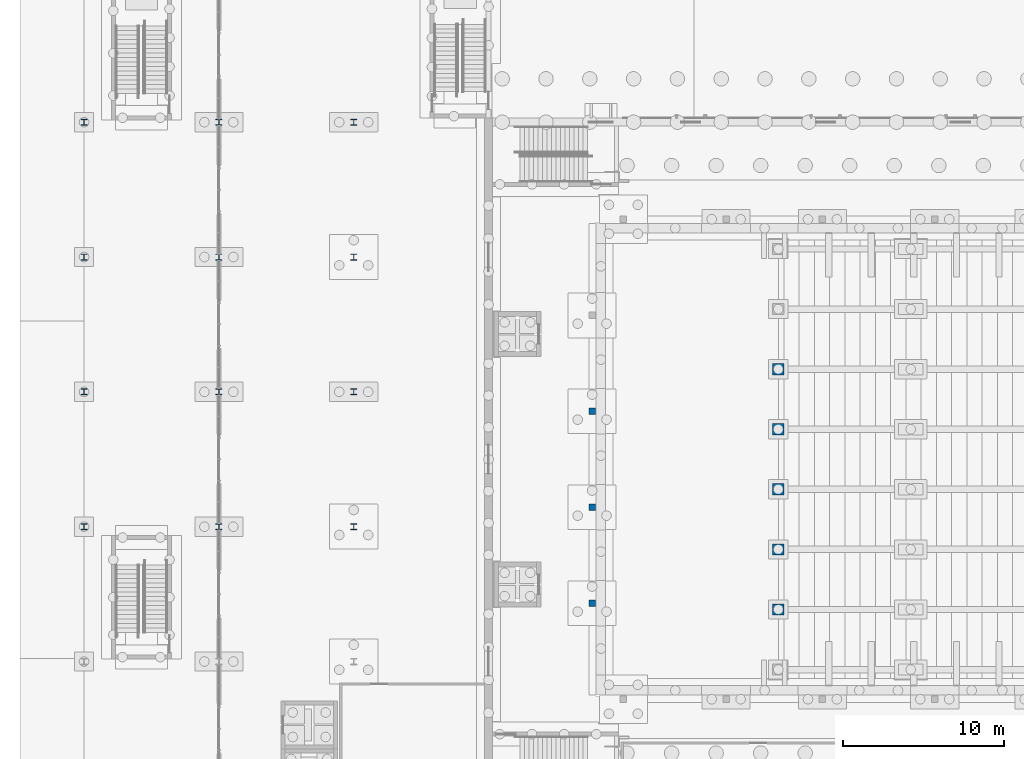
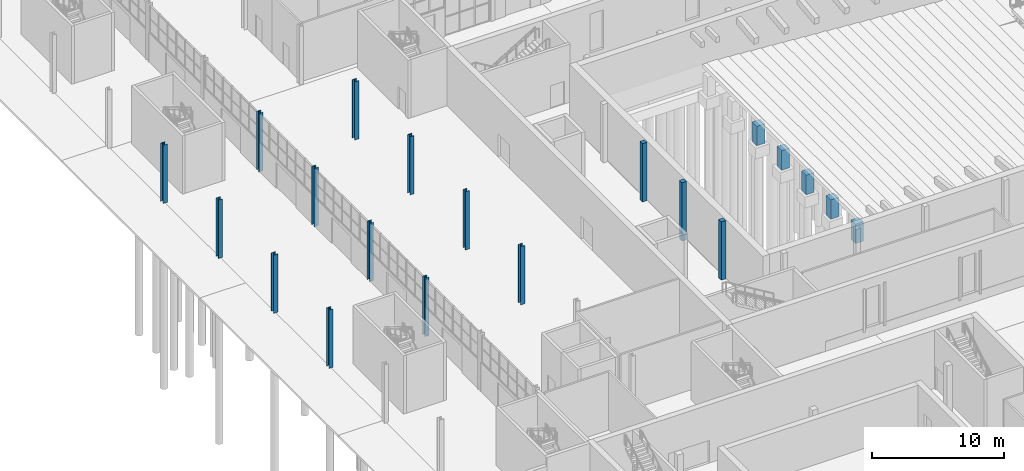
# One storey, part 23 of 127: 20 columns.
"""IFC4 building model written with IfcOpenShell, lengths in metres."""

from ifc_helpers import new_model, si_unit, direction, frame, origin, origin_2d, place, context, subcontext, project, spatial, rectangle, i_section, extrude, material, material_profile, profile_set, type_object, element, save


model = new_model("IFC4")

# Units and contexts
model_context = context("Model", 3, precision=1e-05, world=origin(), true_north=direction((0.0, 1.0)))
body_context = subcontext(model_context, "Body", "Model", "MODEL_VIEW")
ifc_project = project(units=[si_unit("LENGTHUNIT", "METRE"), si_unit("AREAUNIT", "SQUARE_METRE"), si_unit("VOLUMEUNIT", "CUBIC_METRE"), si_unit("PLANEANGLEUNIT", "RADIAN"), si_unit("MASSUNIT", "GRAM", prefix="KILO")], contexts=[model_context])

# Site, building, storey
site_placement = place(None, origin())
site = spatial("IfcSite", under=ifc_project, at=site_placement, CompositionType="ELEMENT")
building_placement = place(site_placement, origin())
building = spatial("IfcBuilding", under=site, at=building_placement, Name="Ljudholm Concert House", CompositionType="ELEMENT")
storey_placement = place(building_placement, origin())
storey = spatial("IfcBuildingStorey", under=building, at=storey_placement, Name="L00", CompositionType="ELEMENT", Elevation=0.0)

# Columns
ifc_material_1 = material(Name="Concrete 6,500 psi", Category="concrete")
ifc_material_profile_1 = material_profile(ifc_material_1, rectangle(XDim=0.39990234375, YDim=0.39990234375, at=origin_2d()), Name="RC COLUMN 400x400")
ifc_profile_set_1 = profile_set([ifc_material_profile_1], Name="Concrete 6,500 psi")
column_type_1 = type_object("IfcColumnType", Name="RC COLUMN 400x400", PredefinedType="COLUMN", material=ifc_profile_set_1)
for number, where, z_axis, x_axis, name in (
    (1, (35.64990234375, 66.429931640625, 0.0), (0.0, 0.0, 1.0), (1.0, 0.0, 0.0), "Ring column"),
    (2, (35.64990234375, 72.409912109375, 0.0), (0.0, 0.0, 1.0), (1.0, 0.0, 0.0), "Ring column"),
    (3, (35.64990234375, 78.389892578125, 0.0), (0.0, 0.0, 1.0), (1.0, 0.0, 0.0), "Ring column"),
):
    element("IfcColumn", number, at=place(storey_placement, frame(where, z_axis=z_axis, x_axis=x_axis)), inside=storey, type_object=column_type_1, Name=name, PredefinedType="COLUMN", context=body_context, shape_type="SweptSolid", body=[
        extrude(rectangle(XDim=0.39990234375, YDim=0.39990234375, at=origin_2d()), origin(), (0.0, 0.0, 1.0), 5.39990234375),
    ])
ifc_material_2 = material(Name="Concrete 6,500 psi", Category="concrete")
ifc_material_profile_2 = material_profile(ifc_material_2, rectangle(XDim=0.699951171875, YDim=0.699951171875, at=origin_2d()), Name="RC COLUMN 700x700")
ifc_profile_set_2 = profile_set([ifc_material_profile_2], Name="Concrete 6,500 psi")
column_type_2 = type_object("IfcColumnType", Name="RC COLUMN 700x700", PredefinedType="COLUMN", material=ifc_profile_set_2)
for number, where, z_axis, x_axis, name in (
    (4, (47.25, 66.04296875, -0.300048828125), (0.0, 0.0, 1.0), (1.0, 0.0, 0.0), "Column pedestal"),
    (5, (47.25, 69.78564453125, -0.300048828125), (0.0, 0.0, 1.0), (1.0, 0.0, 0.0), "Column pedestal"),
    (6, (47.25, 73.528564453125, -0.300048828125), (0.0, 0.0, 1.0), (1.0, 0.0, 0.0), "Column pedestal"),
    (7, (47.25, 77.271484375, -0.300048828125), (0.0, 0.0, 1.0), (1.0, 0.0, 0.0), "Column pedestal"),
    (8, (47.25, 81.014404296875, -0.300048828125), (0.0, 0.0, 1.0), (1.0, 0.0, 0.0), "Column pedestal"),
):
    element("IfcColumn", number, at=place(storey_placement, frame(where, z_axis=z_axis, x_axis=x_axis)), inside=storey, type_object=column_type_2, Name=name, PredefinedType="COLUMN", context=body_context, shape_type="SweptSolid", body=[
        extrude(rectangle(XDim=0.699951171875, YDim=0.699951171875, at=origin_2d()), origin(), (0.0, 0.0, 1.0), 1.800048828125),
    ])
ifc_material_3 = material(Name="Steel ASTM A992", Category="steel")
ifc_material_profile_3 = material_profile(ifc_material_3, i_section(OverallWidth=0.373291015625, OverallDepth=0.373291015625, WebThickness=0.016357421875, FlangeThickness=0.026123046875, FilletRadius=0.01513671875, at=origin_2d()), Name="W14X132")
ifc_profile_set_3 = profile_set([ifc_material_profile_3], Name="Steel ASTM A992")
column_type_3 = type_object("IfcColumnType", Name="STEEL COLUMN W14X132", PredefinedType="COLUMN", material=ifc_profile_set_3)
for number, where, z_axis, x_axis, name in (
    (9, (4.0, 71.199951171875, 0.0), (0.0, 0.0, 1.0), (1.0, 0.0, 0.0), "Column W14X132"),
    (10, (4.0, 79.60009765625, 0.0), (0.0, 0.0, 1.0), (1.0, 0.0, 0.0), "Column W14X132"),
    (11, (4.0, 88.0, 0.0), (0.0, 0.0, 1.0), (1.0, 0.0, 0.0), "Column W14X132"),
    (12, (4.0, 96.39990234375, 0.0), (0.0, 0.0, 1.0), (1.0, 0.0, 0.0), "Column W14X132"),
    (13, (12.39990234375, 71.199951171875, 0.0), (0.0, 0.0, 1.0), (1.0, 0.0, 0.0), "Column W14X132"),
    (14, (12.39990234375, 79.60009765625, 0.0), (0.0, 0.0, 1.0), (1.0, 0.0, 0.0), "Column W14X132"),
    (15, (12.39990234375, 88.0, 0.0), (0.0, 0.0, 1.0), (1.0, 0.0, 0.0), "Column W14X132"),
    (16, (12.39990234375, 96.39990234375, 0.0), (0.0, 0.0, 1.0), (1.0, 0.0, 0.0), "Column W14X132"),
    (17, (20.800048828125, 71.199951171875, 0.0), (0.0, 0.0, 1.0), (1.0, 0.0, 0.0), "Column W14X132"),
    (18, (20.800048828125, 79.60009765625, 0.0), (0.0, 0.0, 1.0), (1.0, 0.0, 0.0), "Column W14X132"),
    (19, (20.800048828125, 88.0, 0.0), (0.0, 0.0, 1.0), (1.0, 0.0, 0.0), "Column W14X132"),
    (20, (20.800048828125, 96.39990234375, 0.0), (0.0, 0.0, 1.0), (1.0, 0.0, 0.0), "Column W14X132"),
):
    element("IfcColumn", number, at=place(storey_placement, frame(where, z_axis=z_axis, x_axis=x_axis)), inside=storey, type_object=column_type_3, Name=name, PredefinedType="COLUMN", context=body_context, shape_type="SweptSolid", body=[
        extrude(i_section(OverallWidth=0.373291015625, OverallDepth=0.373291015625, WebThickness=0.016357421875, FlangeThickness=0.026123046875, FilletRadius=0.01513671875, at=origin_2d()), origin(), (0.0, 0.0, 1.0), 5.39990234375),
    ])

save(model, "model.ifc")
